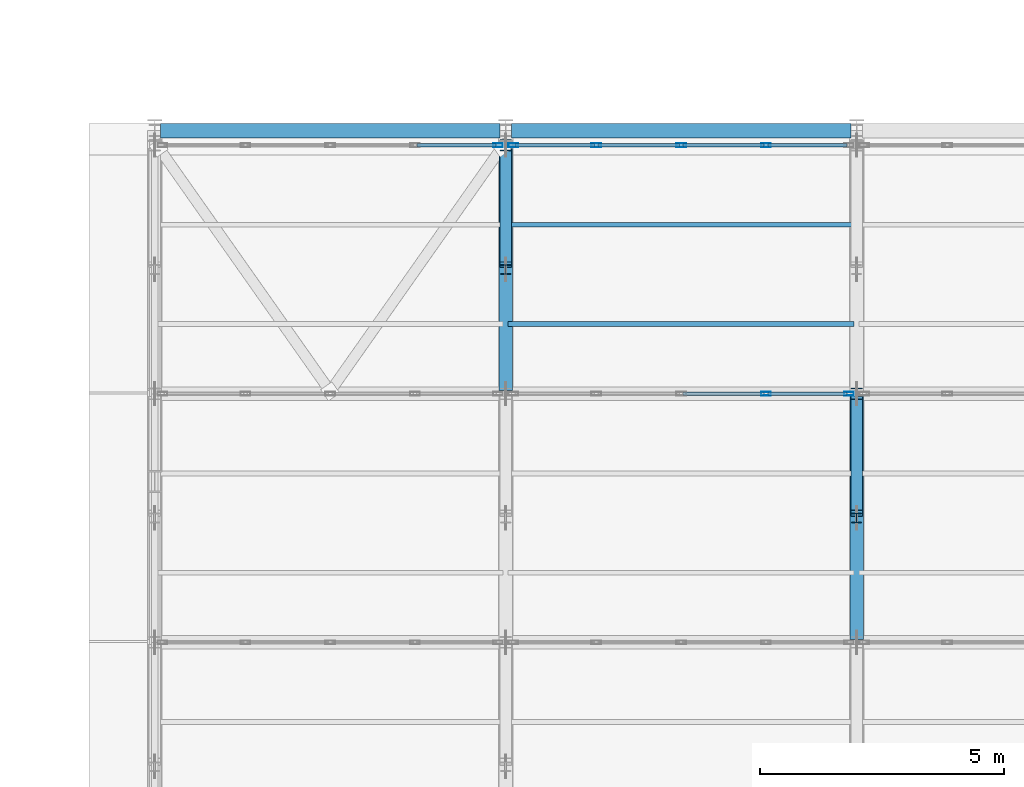
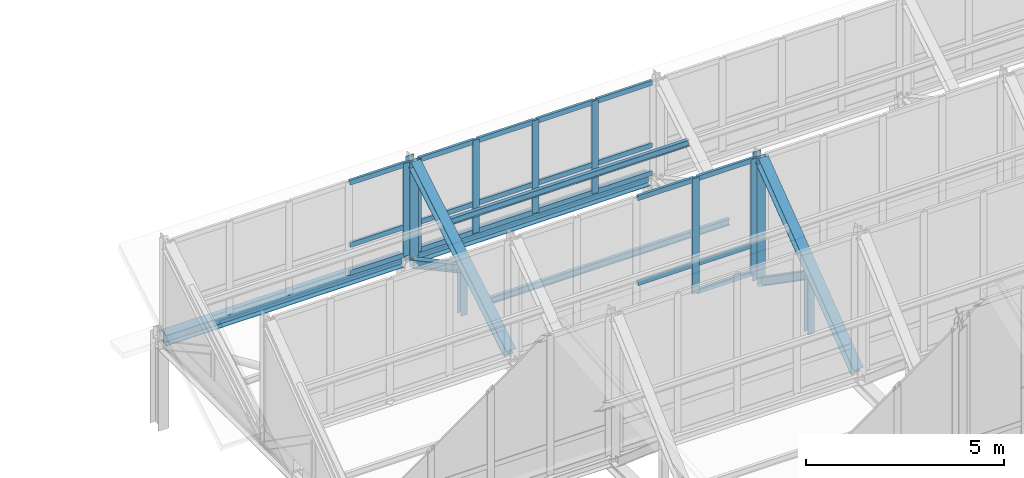
# One storey, part 55 of 157: 37 members, 2 beams, 3 elements without a shape of their own.
"""IFC4 building model written with IfcOpenShell, lengths in metres."""

from ifc_helpers import new_model, si_unit, direction, frame, origin, origin_2d, place, context, subcontext, project, spatial, hollow_rectangle, i_section, extrude, material, material_profile, profile_set, type_object, element, aggregate, save


model = new_model("IFC4")

# Units and contexts
model_context = context("Model", 3, precision=1e-05, world=origin(), true_north=direction((0.0, 1.0)))
body_context = subcontext(model_context, "Body", "Model", "MODEL_VIEW")
ifc_project = project(units=[si_unit("LENGTHUNIT", "METRE"), si_unit("AREAUNIT", "SQUARE_METRE"), si_unit("VOLUMEUNIT", "CUBIC_METRE"), si_unit("PLANEANGLEUNIT", "RADIAN"), si_unit("MASSUNIT", "GRAM", prefix="KILO")], contexts=[model_context])

# Site, building, storey
site_placement = place(None, origin())
site = spatial("IfcSite", under=ifc_project, at=site_placement, CompositionType="ELEMENT")
building_placement = place(site_placement, origin())
building = spatial("IfcBuilding", under=site, at=building_placement, Name="Suanplinth Sawtooth Commons", CompositionType="ELEMENT")
storey_placement = place(building_placement, frame((0.0, 0.0, 9.0)))
storey = spatial("IfcBuildingStorey", under=building, at=storey_placement, Name="L02", CompositionType="ELEMENT", Elevation=9.0)

# Beams
ifc_material_1 = material(Name="Steel S355JR", Category="steel")
ifc_material_profile_1 = material_profile(ifc_material_1, i_section(OverallWidth=0.300048828125, OverallDepth=0.330078125, WebThickness=0.009521484375, FlangeThickness=0.0166015625, at=origin_2d()), Name="HEA 340")
ifc_profile_set_1 = profile_set([ifc_material_profile_1], Name="Steel S355JR")
beam_type = type_object("IfcBeamType", Name="B-15", PredefinedType="USERDEFINED", material=ifc_profile_set_1)
for number, where, z_axis, x_axis, name in (
    (1, (64.919921875, 86.39990234375, 2.655029296875), (1.0, 0.0, 0.0), (0.0, 1.0, 0.0), "Sawtooth North Eave Girder B1"),
    (2, (72.1201171875, 86.39990234375, 2.655029296875), (1.0, 0.0, 0.0), (0.0, 1.0, 0.0), "Sawtooth North Eave Girder B2"),
):
    element("IfcBeam", number, at=place(storey_placement, frame(where, z_axis=z_axis, x_axis=x_axis)), inside=storey, type_object=beam_type, Name=name, ObjectType="GIRDER", PredefinedType="USERDEFINED", context=body_context, shape_type="SweptSolid", body=[
        extrude(i_section(OverallWidth=0.300048828125, OverallDepth=0.330078125, WebThickness=0.009521484375, FlangeThickness=0.0166015625, at=origin_2d()), origin(), (0.0, 0.0, 1.0), 6.9599609375),
    ])

# Members
ifc_material_profile_2 = material_profile(ifc_material_1, i_section(OverallWidth=0.280029296875, OverallDepth=0.280029296875, WebThickness=0.010498046875, FlangeThickness=0.01806640625, at=origin_2d()), Name="HEB 280")
ifc_profile_set_2 = profile_set([ifc_material_profile_2], Name="Steel S355JR")
member_type_1 = type_object("IfcMemberType", Name="M-02", PredefinedType="CHORD", material=ifc_profile_set_2)
member_1_placement = place(storey_placement, frame((72.0, 81.139892578125, 2.919921875), z_axis=(0.0, 0.855283356021, 0.51816057445), x_axis=(-1.0, 0.0, 0.0)))
element("IfcMember", 3, at=member_1_placement, inside=storey, type_object=member_type_1, Name="Sawtooth Truss T2 Top Chord 7", PredefinedType="CHORD", context=body_context, shape_type="SweptSolid", body=[
    extrude(i_section(OverallWidth=0.280029296875, OverallDepth=0.280029296875, WebThickness=0.010498046875, FlangeThickness=0.01806640625, at=origin_2d()), origin(), (0.0, 0.0, 1.0), 5.6357421875),
])
member_2_placement = place(storey_placement, frame((79.199951171875, 76.0400390625, 2.919921875), z_axis=(0.0, 0.799596436712, 0.600537707723), x_axis=(-1.0, 0.0, 0.0)))
element("IfcMember", 4, at=member_2_placement, inside=storey, type_object=member_type_1, Name="Sawtooth Truss T3 Top Chord 6", PredefinedType="CHORD", context=body_context, shape_type="SweptSolid", body=[
    extrude(i_section(OverallWidth=0.280029296875, OverallDepth=0.280029296875, WebThickness=0.010498046875, FlangeThickness=0.01806640625, at=origin_2d()), origin(), (0.0, 0.0, 1.0), 6.028076171875),
])
ifc_material_profile_3 = material_profile(ifc_material_1, i_section(OverallWidth=0.239990234375, OverallDepth=0.22998046875, WebThickness=0.007568359375, FlangeThickness=0.011962890625, at=origin_2d()), Name="HEA 240")
ifc_profile_set_3 = profile_set([ifc_material_profile_3], Name="Steel S355JR")
member_type_2 = type_object("IfcMemberType", Name="M-03", PredefinedType="BRACE", material=ifc_profile_set_3)
member_3_placement = place(storey_placement, frame((72.0, 83.64990234375, 4.02001953125), z_axis=(0.0, 0.878043199154, -0.478581383277), x_axis=(-1.0, 0.0, 0.0)))
element("IfcMember", 5, at=member_3_placement, inside=storey, type_object=member_type_2, Name="Sawtooth Truss T2 Web Diagonal 7", PredefinedType="BRACE", context=body_context, shape_type="SweptSolid", body=[
    extrude(i_section(OverallWidth=0.239990234375, OverallDepth=0.22998046875, WebThickness=0.007568359375, FlangeThickness=0.011962890625, at=origin_2d()), origin(), (0.0, 0.0, 1.0), 2.65380859375),
])
member_4_placement = place(storey_placement, frame((79.199951171875, 78.550048828125, 4.3701171875), z_axis=(0.0, 0.821010399862, -0.570913236245), x_axis=(-1.0, 0.0, 0.0)))
element("IfcMember", 6, at=member_4_placement, inside=storey, type_object=member_type_2, Name="Sawtooth Truss T3 Web Diagonal 6", PredefinedType="BRACE", context=body_context, shape_type="SweptSolid", body=[
    extrude(i_section(OverallWidth=0.239990234375, OverallDepth=0.22998046875, WebThickness=0.007568359375, FlangeThickness=0.011962890625, at=origin_2d()), origin(), (0.0, 0.0, 1.0), 2.837646484375),
])
ifc_material_profile_4 = material_profile(ifc_material_1, i_section(OverallWidth=0.199951171875, OverallDepth=0.18994140625, WebThickness=0.006591796875, FlangeThickness=0.010009765625, at=origin_2d()), Name="HEA 200")
ifc_profile_set_4 = profile_set([ifc_material_profile_4], Name="Steel S355JR")
member_type_3 = type_object("IfcMemberType", Name="M-04", PredefinedType="BRACE", material=ifc_profile_set_4)
member_5_placement = place(storey_placement, frame((72.0, 83.550048828125, 2.64990234375), z_axis=(0.0, 0.0, 1.0), x_axis=(1.0, 0.0, 0.0)))
element("IfcMember", 7, at=member_5_placement, inside=storey, type_object=member_type_3, Name="Sawtooth Truss T2 Mid Web Post 7", PredefinedType="BRACE", context=body_context, shape_type="SweptSolid", body=[
    extrude(i_section(OverallWidth=0.199951171875, OverallDepth=0.18994140625, WebThickness=0.006591796875, FlangeThickness=0.010009765625, at=origin_2d()), origin(), (0.0, 0.0, 1.0), 1.35009765625),
])
member_6_placement = place(storey_placement, frame((79.199951171875, 78.449951171875, 2.64990234375), z_axis=(0.0, 0.0, 1.0), x_axis=(1.0, 0.0, 0.0)))
element("IfcMember", 8, at=member_6_placement, inside=storey, type_object=member_type_3, Name="Sawtooth Truss T3 Mid Web Post 6", PredefinedType="BRACE", context=body_context, shape_type="SweptSolid", body=[
    extrude(i_section(OverallWidth=0.199951171875, OverallDepth=0.18994140625, WebThickness=0.006591796875, FlangeThickness=0.010009765625, at=origin_2d()), origin(), (0.0, 0.0, 1.0), 1.7001953125),
])
ifc_material_profile_5 = material_profile(ifc_material_1, i_section(OverallWidth=0.239990234375, OverallDepth=0.239990234375, WebThickness=0.010009765625, FlangeThickness=0.01708984375, at=origin_2d()), Name="HEB 240")
ifc_profile_set_5 = profile_set([ifc_material_profile_5], Name="Steel S355JR")
member_type_4 = type_object("IfcMemberType", Name="M-05", PredefinedType="POST", material=ifc_profile_set_5)
member_7_placement = place(storey_placement, frame((72.0, 86.10009765625, 2.64990234375), z_axis=(0.0, 0.0, 1.0), x_axis=(1.0, 0.0, 0.0)))
element("IfcMember", 9, at=member_7_placement, inside=storey, type_object=member_type_4, Name="Sawtooth Truss T2 Clerestory Post 7", PredefinedType="POST", context=body_context, shape_type="SweptSolid", body=[
    extrude(i_section(OverallWidth=0.239990234375, OverallDepth=0.239990234375, WebThickness=0.010009765625, FlangeThickness=0.01708984375, at=origin_2d()), origin(), (0.0, 0.0, 1.0), 3.2900390625),
])
member_8_placement = place(storey_placement, frame((79.199951171875, 81.0, 2.64990234375), z_axis=(0.0, 0.0, 1.0), x_axis=(1.0, 0.0, 0.0)))
element("IfcMember", 10, at=member_8_placement, inside=storey, type_object=member_type_4, Name="Sawtooth Truss T3 Clerestory Post 6", PredefinedType="POST", context=body_context, shape_type="SweptSolid", body=[
    extrude(i_section(OverallWidth=0.239990234375, OverallDepth=0.239990234375, WebThickness=0.010009765625, FlangeThickness=0.01708984375, at=origin_2d()), origin(), (0.0, 0.0, 1.0), 3.989990234375),
])
ifc_material_2 = material(Name="Steel SS400", Category="steel")
ifc_material_profile_6 = material_profile(ifc_material_2, i_section(OverallWidth=0.10009765625, OverallDepth=0.199951171875, WebThickness=0.005615234375, FlangeThickness=0.008544921875, at=origin_2d()), Name="IPE 200")
ifc_profile_set_6 = profile_set([ifc_material_profile_6], Name="Steel SS400")
member_type_5 = type_object("IfcMemberType", Name="M-06", PredefinedType="PURLIN", material=ifc_profile_set_6)
for number, where, z_axis, x_axis, name in (
    (11, (72.050048828125, 82.427978515625, 3.691162109375), (1.0, 0.0, 0.0), (0.0, 1.0, 0.0), "Sawtooth Roof Purlin T7-B2-P1"),
    (12, (72.050048828125, 84.468017578125, 4.89111328125), (1.0, 0.0, 0.0), (0.0, 1.0, 0.0), "Sawtooth Roof Purlin T7-B2-P2"),
):
    element("IfcMember", number, at=place(storey_placement, frame(where, z_axis=z_axis, x_axis=x_axis)), inside=storey, type_object=member_type_5, Name=name, PredefinedType="PURLIN", context=body_context, shape_type="SweptSolid", body=[
        extrude(i_section(OverallWidth=0.10009765625, OverallDepth=0.199951171875, WebThickness=0.005615234375, FlangeThickness=0.008544921875, at=origin_2d()), origin(), (0.0, 0.0, 1.0), 7.099853515625),
    ])

# Curtain wall, members
ifc_material_3 = material(Name="Anodized aluminium and low-E glazing", Category="aluminium")
curtain_wall_type = type_object("IfcCurtainWallType", Name="CW-03", PredefinedType="USERDEFINED", material=ifc_material_3)
curtain_wall_1_placement = place(storey_placement, origin())
curtain_wall_1 = element("IfcCurtainWall", 13, at=curtain_wall_1_placement, inside=storey, type_object=curtain_wall_type, Name="Curtain Wall CW-SAW-T6-B2", ObjectType="CURTAIN WALL", PredefinedType="USERDEFINED")
ifc_material_4 = material(Name="Anodized aluminium 6063-T6", Category="aluminium")
ifc_material_profile_7 = material_profile(ifc_material_4, hollow_rectangle(XDim=0.074951171875, YDim=0.199951171875, WallThickness=0.0048828125, at=origin_2d()), Name="ALU-MUL 75x200")
ifc_profile_set_7 = profile_set([ifc_material_profile_7], Name="Anodized aluminium 6063-T6")
member_type_6 = type_object("IfcMemberType", Name="M-14", PredefinedType="MULLION", material=ifc_profile_set_7)
member_9_placement = place(storey_placement, frame((77.340087890625, 81.0, 2.97998046875), z_axis=(0.0, 0.0, 1.0), x_axis=(0.0, 1.0, 0.0)))
member_9 = element("IfcMember", 14, at=member_9_placement, type_object=member_type_6, Name="CW-03 mullion 4", PredefinedType="MULLION", context=body_context, shape_type="SweptSolid", body=[
    extrude(hollow_rectangle(XDim=0.074951171875, YDim=0.199951171875, WallThickness=0.0048828125, at=origin_2d()), origin(), (0.0, 0.0, 1.0), 3.56005859375),
])
member_10_placement = place(storey_placement, frame((79.04248046875, 81.0, 2.97998046875), z_axis=(0.0, 0.0, 1.0), x_axis=(0.0, 1.0, 0.0)))
member_10 = element("IfcMember", 15, at=member_10_placement, type_object=member_type_6, Name="CW-03 mullion 5", PredefinedType="MULLION", context=body_context, shape_type="SweptSolid", body=[
    extrude(hollow_rectangle(XDim=0.074951171875, YDim=0.199951171875, WallThickness=0.0048828125, at=origin_2d()), origin(), (0.0, 0.0, 1.0), 3.56005859375),
])

# Curtain wall, member
curtain_wall_2_placement = place(storey_placement, origin())
curtain_wall_2 = element("IfcCurtainWall", 16, at=curtain_wall_2_placement, inside=storey, type_object=curtain_wall_type, Name="Curtain Wall CW-SAW-T7-B1", ObjectType="CURTAIN WALL", PredefinedType="USERDEFINED")
member_11_placement = place(storey_placement, frame((71.842529296875, 86.10009765625, 2.97998046875), z_axis=(0.0, 0.0, 1.0), x_axis=(0.0, 1.0, 0.0)))
member_11 = element("IfcMember", 17, at=member_11_placement, type_object=member_type_6, Name="CW-03 mullion 5", PredefinedType="MULLION", context=body_context, shape_type="SweptSolid", body=[
    extrude(hollow_rectangle(XDim=0.074951171875, YDim=0.199951171875, WallThickness=0.0048828125, at=origin_2d()), origin(), (0.0, 0.0, 1.0), 2.860107421875),
])

# Curtain wall, members
curtain_wall_3_placement = place(storey_placement, origin())
curtain_wall_3 = element("IfcCurtainWall", 18, at=curtain_wall_3_placement, inside=storey, type_object=curtain_wall_type, Name="Curtain Wall CW-SAW-T7-B2", ObjectType="CURTAIN WALL", PredefinedType="USERDEFINED")
member_12_placement = place(storey_placement, frame((72.157470703125, 86.10009765625, 2.97998046875), z_axis=(0.0, 0.0, 1.0), x_axis=(0.0, 1.0, 0.0)))
member_12 = element("IfcMember", 19, at=member_12_placement, type_object=member_type_6, Name="CW-03 mullion 1", PredefinedType="MULLION", context=body_context, shape_type="SweptSolid", body=[
    extrude(hollow_rectangle(XDim=0.074951171875, YDim=0.199951171875, WallThickness=0.0048828125, at=origin_2d()), origin(), (0.0, 0.0, 1.0), 2.860107421875),
])
member_13_placement = place(storey_placement, frame((73.860107421875, 86.10009765625, 2.97998046875), z_axis=(0.0, 0.0, 1.0), x_axis=(0.0, 1.0, 0.0)))
member_13 = element("IfcMember", 20, at=member_13_placement, type_object=member_type_6, Name="CW-03 mullion 2", PredefinedType="MULLION", context=body_context, shape_type="SweptSolid", body=[
    extrude(hollow_rectangle(XDim=0.074951171875, YDim=0.199951171875, WallThickness=0.0048828125, at=origin_2d()), origin(), (0.0, 0.0, 1.0), 2.860107421875),
])
member_14_placement = place(storey_placement, frame((75.60009765625, 86.10009765625, 2.97998046875), z_axis=(0.0, 0.0, 1.0), x_axis=(0.0, 1.0, 0.0)))
member_14 = element("IfcMember", 21, at=member_14_placement, type_object=member_type_6, Name="CW-03 mullion 3", PredefinedType="MULLION", context=body_context, shape_type="SweptSolid", body=[
    extrude(hollow_rectangle(XDim=0.074951171875, YDim=0.199951171875, WallThickness=0.0048828125, at=origin_2d()), origin(), (0.0, 0.0, 1.0), 2.860107421875),
])
member_15_placement = place(storey_placement, frame((77.340087890625, 86.10009765625, 2.97998046875), z_axis=(0.0, 0.0, 1.0), x_axis=(0.0, 1.0, 0.0)))
member_15 = element("IfcMember", 22, at=member_15_placement, type_object=member_type_6, Name="CW-03 mullion 4", PredefinedType="MULLION", context=body_context, shape_type="SweptSolid", body=[
    extrude(hollow_rectangle(XDim=0.074951171875, YDim=0.199951171875, WallThickness=0.0048828125, at=origin_2d()), origin(), (0.0, 0.0, 1.0), 2.860107421875),
])

# Member
ifc_material_profile_8 = material_profile(ifc_material_4, hollow_rectangle(XDim=0.074951171875, YDim=0.14990234375, WallThickness=0.00439453125, at=origin_2d()), Name="ALU-TRN 75x150")
ifc_profile_set_8 = profile_set([ifc_material_profile_8], Name="Anodized aluminium 6063-T6")
member_type_7 = type_object("IfcMemberType", Name="M-16", PredefinedType="USERDEFINED", material=ifc_profile_set_8)
member_16_placement = place(storey_placement, frame((75.637451171875, 81.0, 3.8798828125), z_axis=(1.0, 0.0, 0.0), x_axis=(0.0, 1.0, 0.0)))
member_16 = element("IfcMember", 23, at=member_16_placement, type_object=member_type_7, Name="CW-03 transom 3.2", ObjectType="TRANSOM", PredefinedType="USERDEFINED", context=body_context, shape_type="SweptSolid", body=[
    extrude(hollow_rectangle(XDim=0.074951171875, YDim=0.14990234375, WallThickness=0.00439453125, at=origin_2d()), origin(), (0.0, 0.0, 1.0), 1.6650390625),
])

member_17_placement = place(storey_placement, frame((75.637451171875, 81.0, 6.50244140625), z_axis=(1.0, 0.0, 0.0), x_axis=(0.0, 1.0, 0.0)))
member_17 = element("IfcMember", 24, at=member_17_placement, type_object=member_type_7, Name="CW-03 transom 3.3", ObjectType="TRANSOM", PredefinedType="USERDEFINED", context=body_context, shape_type="SweptSolid", body=[
    extrude(hollow_rectangle(XDim=0.074951171875, YDim=0.14990234375, WallThickness=0.00439453125, at=origin_2d()), origin(), (0.0, 0.0, 1.0), 1.6650390625),
])

member_18_placement = place(storey_placement, frame((77.37744140625, 81.0, 3.017578125), z_axis=(1.0, 0.0, 0.0), x_axis=(0.0, 1.0, 0.0)))
member_18 = element("IfcMember", 25, at=member_18_placement, type_object=member_type_7, Name="CW-03 transom 4.1", ObjectType="TRANSOM", PredefinedType="USERDEFINED", context=body_context, shape_type="SweptSolid", body=[
    extrude(hollow_rectangle(XDim=0.074951171875, YDim=0.14990234375, WallThickness=0.00439453125, at=origin_2d()), origin(), (0.0, 0.0, 1.0), 1.62744140625),
])

member_19_placement = place(storey_placement, frame((77.37744140625, 81.0, 3.8798828125), z_axis=(1.0, 0.0, 0.0), x_axis=(0.0, 1.0, 0.0)))
member_19 = element("IfcMember", 26, at=member_19_placement, type_object=member_type_7, Name="CW-03 transom 4.2", ObjectType="TRANSOM", PredefinedType="USERDEFINED", context=body_context, shape_type="SweptSolid", body=[
    extrude(hollow_rectangle(XDim=0.074951171875, YDim=0.14990234375, WallThickness=0.00439453125, at=origin_2d()), origin(), (0.0, 0.0, 1.0), 1.62744140625),
])

member_20_placement = place(storey_placement, frame((77.37744140625, 81.0, 6.50244140625), z_axis=(1.0, 0.0, 0.0), x_axis=(0.0, 1.0, 0.0)))
member_20 = element("IfcMember", 27, at=member_20_placement, type_object=member_type_7, Name="CW-03 transom 4.3", ObjectType="TRANSOM", PredefinedType="USERDEFINED", context=body_context, shape_type="SweptSolid", body=[
    extrude(hollow_rectangle(XDim=0.074951171875, YDim=0.14990234375, WallThickness=0.00439453125, at=origin_2d()), origin(), (0.0, 0.0, 1.0), 1.62744140625),
])

aggregate(curtain_wall_1, [member_9, member_10, member_16, member_17, member_18, member_19, member_20])

member_21_placement = place(storey_placement, frame((70.177490234375, 86.10009765625, 3.017578125), z_axis=(1.0, 0.0, 0.0), x_axis=(0.0, 1.0, 0.0)))
member_21 = element("IfcMember", 28, at=member_21_placement, type_object=member_type_7, Name="CW-03 transom 4.1", ObjectType="TRANSOM", PredefinedType="USERDEFINED", context=body_context, shape_type="SweptSolid", body=[
    extrude(hollow_rectangle(XDim=0.074951171875, YDim=0.14990234375, WallThickness=0.00439453125, at=origin_2d()), origin(), (0.0, 0.0, 1.0), 1.62744140625),
])

member_22_placement = place(storey_placement, frame((70.177490234375, 86.10009765625, 3.8798828125), z_axis=(1.0, 0.0, 0.0), x_axis=(0.0, 1.0, 0.0)))
member_22 = element("IfcMember", 29, at=member_22_placement, type_object=member_type_7, Name="CW-03 transom 4.2", ObjectType="TRANSOM", PredefinedType="USERDEFINED", context=body_context, shape_type="SweptSolid", body=[
    extrude(hollow_rectangle(XDim=0.074951171875, YDim=0.14990234375, WallThickness=0.00439453125, at=origin_2d()), origin(), (0.0, 0.0, 1.0), 1.62744140625),
])

member_23_placement = place(storey_placement, frame((70.177490234375, 86.10009765625, 5.802490234375), z_axis=(1.0, 0.0, 0.0), x_axis=(0.0, 1.0, 0.0)))
member_23 = element("IfcMember", 30, at=member_23_placement, type_object=member_type_7, Name="CW-03 transom 4.3", ObjectType="TRANSOM", PredefinedType="USERDEFINED", context=body_context, shape_type="SweptSolid", body=[
    extrude(hollow_rectangle(XDim=0.074951171875, YDim=0.14990234375, WallThickness=0.00439453125, at=origin_2d()), origin(), (0.0, 0.0, 1.0), 1.62744140625),
])

aggregate(curtain_wall_2, [member_11, member_21, member_22, member_23])

member_24_placement = place(storey_placement, frame((72.195068359375, 86.10009765625, 3.017578125), z_axis=(1.0, 0.0, 0.0), x_axis=(0.0, 1.0, 0.0)))
member_24 = element("IfcMember", 31, at=member_24_placement, type_object=member_type_7, Name="CW-03 transom 1.1", ObjectType="TRANSOM", PredefinedType="USERDEFINED", context=body_context, shape_type="SweptSolid", body=[
    extrude(hollow_rectangle(XDim=0.074951171875, YDim=0.14990234375, WallThickness=0.00439453125, at=origin_2d()), origin(), (0.0, 0.0, 1.0), 1.62744140625),
])

member_25_placement = place(storey_placement, frame((72.195068359375, 86.10009765625, 3.8798828125), z_axis=(1.0, 0.0, 0.0), x_axis=(0.0, 1.0, 0.0)))
member_25 = element("IfcMember", 32, at=member_25_placement, type_object=member_type_7, Name="CW-03 transom 1.2", ObjectType="TRANSOM", PredefinedType="USERDEFINED", context=body_context, shape_type="SweptSolid", body=[
    extrude(hollow_rectangle(XDim=0.074951171875, YDim=0.14990234375, WallThickness=0.00439453125, at=origin_2d()), origin(), (0.0, 0.0, 1.0), 1.62744140625),
])

member_26_placement = place(storey_placement, frame((72.195068359375, 86.10009765625, 5.802490234375), z_axis=(1.0, 0.0, 0.0), x_axis=(0.0, 1.0, 0.0)))
member_26 = element("IfcMember", 33, at=member_26_placement, type_object=member_type_7, Name="CW-03 transom 1.3", ObjectType="TRANSOM", PredefinedType="USERDEFINED", context=body_context, shape_type="SweptSolid", body=[
    extrude(hollow_rectangle(XDim=0.074951171875, YDim=0.14990234375, WallThickness=0.00439453125, at=origin_2d()), origin(), (0.0, 0.0, 1.0), 1.62744140625),
])

member_27_placement = place(storey_placement, frame((73.8974609375, 86.10009765625, 3.017578125), z_axis=(1.0, 0.0, 0.0), x_axis=(0.0, 1.0, 0.0)))
member_27 = element("IfcMember", 34, at=member_27_placement, type_object=member_type_7, Name="CW-03 transom 2.1", ObjectType="TRANSOM", PredefinedType="USERDEFINED", context=body_context, shape_type="SweptSolid", body=[
    extrude(hollow_rectangle(XDim=0.074951171875, YDim=0.14990234375, WallThickness=0.00439453125, at=origin_2d()), origin(), (0.0, 0.0, 1.0), 1.6650390625),
])

member_28_placement = place(storey_placement, frame((73.8974609375, 86.10009765625, 3.8798828125), z_axis=(1.0, 0.0, 0.0), x_axis=(0.0, 1.0, 0.0)))
member_28 = element("IfcMember", 35, at=member_28_placement, type_object=member_type_7, Name="CW-03 transom 2.2", ObjectType="TRANSOM", PredefinedType="USERDEFINED", context=body_context, shape_type="SweptSolid", body=[
    extrude(hollow_rectangle(XDim=0.074951171875, YDim=0.14990234375, WallThickness=0.00439453125, at=origin_2d()), origin(), (0.0, 0.0, 1.0), 1.6650390625),
])

member_29_placement = place(storey_placement, frame((73.8974609375, 86.10009765625, 5.802490234375), z_axis=(1.0, 0.0, 0.0), x_axis=(0.0, 1.0, 0.0)))
member_29 = element("IfcMember", 36, at=member_29_placement, type_object=member_type_7, Name="CW-03 transom 2.3", ObjectType="TRANSOM", PredefinedType="USERDEFINED", context=body_context, shape_type="SweptSolid", body=[
    extrude(hollow_rectangle(XDim=0.074951171875, YDim=0.14990234375, WallThickness=0.00439453125, at=origin_2d()), origin(), (0.0, 0.0, 1.0), 1.6650390625),
])

member_30_placement = place(storey_placement, frame((75.637451171875, 86.10009765625, 3.017578125), z_axis=(1.0, 0.0, 0.0), x_axis=(0.0, 1.0, 0.0)))
member_30 = element("IfcMember", 37, at=member_30_placement, type_object=member_type_7, Name="CW-03 transom 3.1", ObjectType="TRANSOM", PredefinedType="USERDEFINED", context=body_context, shape_type="SweptSolid", body=[
    extrude(hollow_rectangle(XDim=0.074951171875, YDim=0.14990234375, WallThickness=0.00439453125, at=origin_2d()), origin(), (0.0, 0.0, 1.0), 1.6650390625),
])

member_31_placement = place(storey_placement, frame((75.637451171875, 86.10009765625, 3.8798828125), z_axis=(1.0, 0.0, 0.0), x_axis=(0.0, 1.0, 0.0)))
member_31 = element("IfcMember", 38, at=member_31_placement, type_object=member_type_7, Name="CW-03 transom 3.2", ObjectType="TRANSOM", PredefinedType="USERDEFINED", context=body_context, shape_type="SweptSolid", body=[
    extrude(hollow_rectangle(XDim=0.074951171875, YDim=0.14990234375, WallThickness=0.00439453125, at=origin_2d()), origin(), (0.0, 0.0, 1.0), 1.6650390625),
])

member_32_placement = place(storey_placement, frame((75.637451171875, 86.10009765625, 5.802490234375), z_axis=(1.0, 0.0, 0.0), x_axis=(0.0, 1.0, 0.0)))
member_32 = element("IfcMember", 39, at=member_32_placement, type_object=member_type_7, Name="CW-03 transom 3.3", ObjectType="TRANSOM", PredefinedType="USERDEFINED", context=body_context, shape_type="SweptSolid", body=[
    extrude(hollow_rectangle(XDim=0.074951171875, YDim=0.14990234375, WallThickness=0.00439453125, at=origin_2d()), origin(), (0.0, 0.0, 1.0), 1.6650390625),
])

member_33_placement = place(storey_placement, frame((77.37744140625, 86.10009765625, 3.017578125), z_axis=(1.0, 0.0, 0.0), x_axis=(0.0, 1.0, 0.0)))
member_33 = element("IfcMember", 40, at=member_33_placement, type_object=member_type_7, Name="CW-03 transom 4.1", ObjectType="TRANSOM", PredefinedType="USERDEFINED", context=body_context, shape_type="SweptSolid", body=[
    extrude(hollow_rectangle(XDim=0.074951171875, YDim=0.14990234375, WallThickness=0.00439453125, at=origin_2d()), origin(), (0.0, 0.0, 1.0), 1.62744140625),
])

member_34_placement = place(storey_placement, frame((77.37744140625, 86.10009765625, 3.8798828125), z_axis=(1.0, 0.0, 0.0), x_axis=(0.0, 1.0, 0.0)))
member_34 = element("IfcMember", 41, at=member_34_placement, type_object=member_type_7, Name="CW-03 transom 4.2", ObjectType="TRANSOM", PredefinedType="USERDEFINED", context=body_context, shape_type="SweptSolid", body=[
    extrude(hollow_rectangle(XDim=0.074951171875, YDim=0.14990234375, WallThickness=0.00439453125, at=origin_2d()), origin(), (0.0, 0.0, 1.0), 1.62744140625),
])

member_35_placement = place(storey_placement, frame((77.37744140625, 86.10009765625, 5.802490234375), z_axis=(1.0, 0.0, 0.0), x_axis=(0.0, 1.0, 0.0)))
member_35 = element("IfcMember", 42, at=member_35_placement, type_object=member_type_7, Name="CW-03 transom 4.3", ObjectType="TRANSOM", PredefinedType="USERDEFINED", context=body_context, shape_type="SweptSolid", body=[
    extrude(hollow_rectangle(XDim=0.074951171875, YDim=0.14990234375, WallThickness=0.00439453125, at=origin_2d()), origin(), (0.0, 0.0, 1.0), 1.62744140625),
])

aggregate(curtain_wall_3, [member_12, member_13, member_14, member_15, member_24, member_25, member_26, member_27, member_28, member_29, member_30, member_31, member_32, member_33, member_34, member_35])

save(model, "model.ifc")
